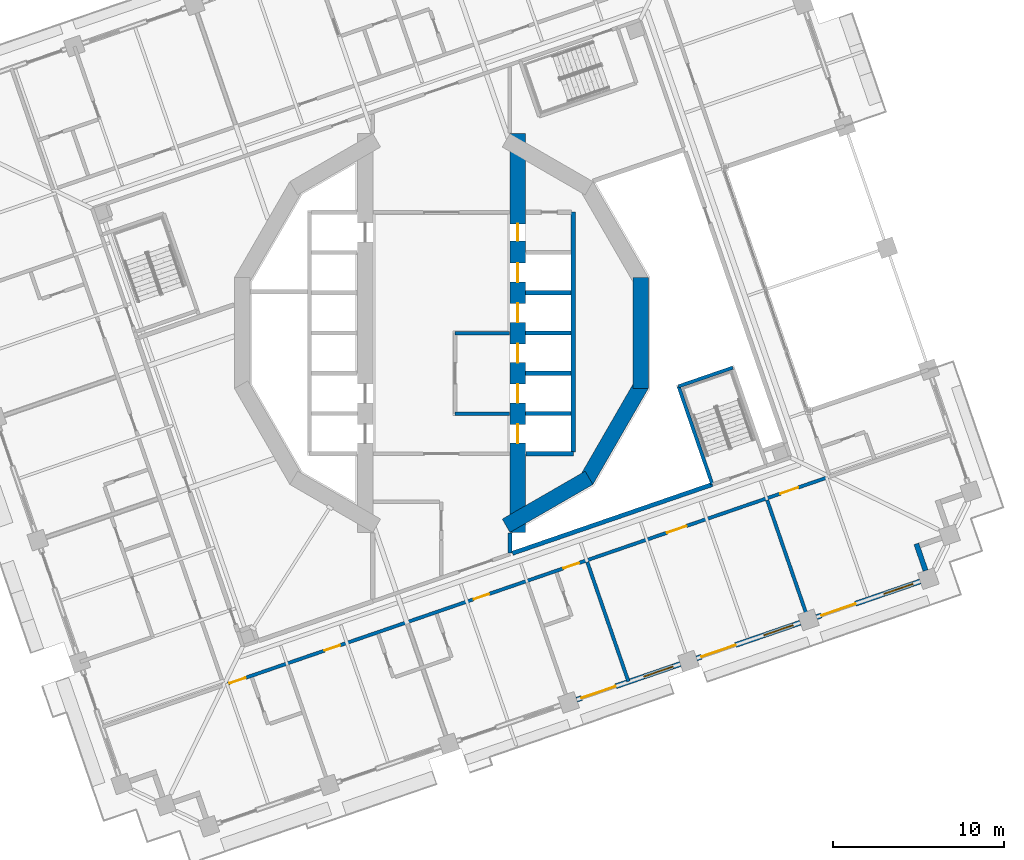
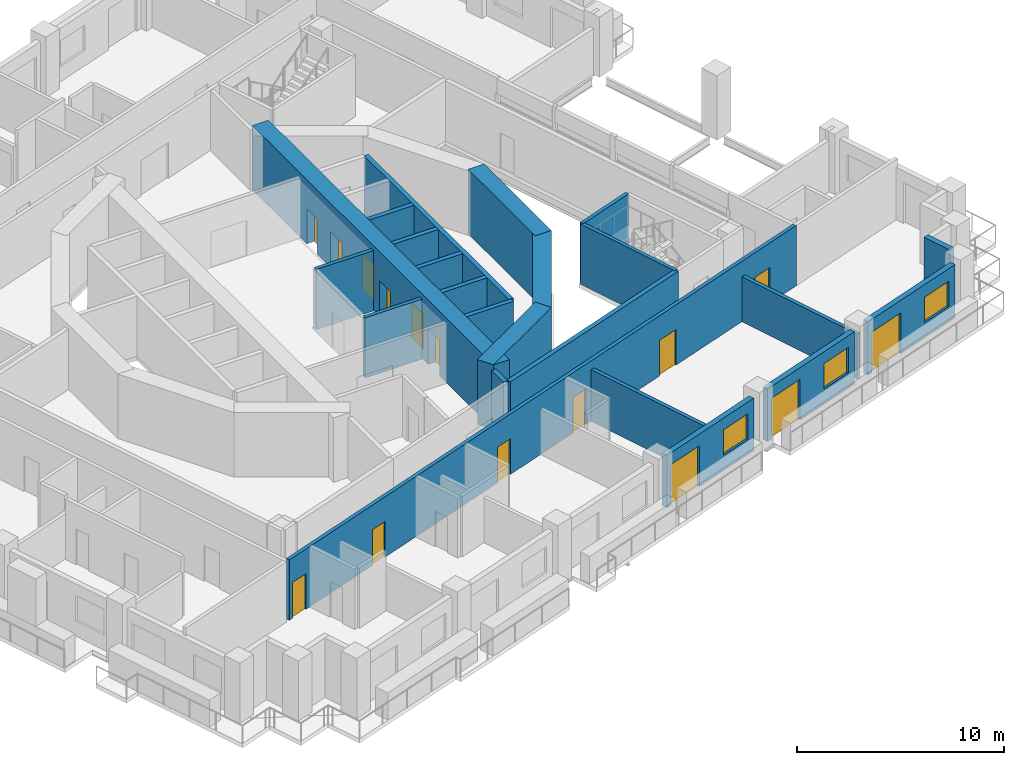
# One storey, part 10 of 21: 23 walls, 15 doors, 3 windows, 18 openings.
"""IFC4 building model written with IfcOpenShell, lengths in metres."""

from ifc_helpers import new_model, si_unit, direction, frame, frame_2d, origin, place, context, subcontext, project, spatial, rectangle, extrude, material, layer, layer_set, type_object, element, fill, save


model = new_model("IFC4")

# Units and contexts
model_context = context("Model", 3, precision=1e-05, world=origin(), true_north=direction((0.0, 1.0)))
body_context = subcontext(model_context, "Body", "Model", "MODEL_VIEW")
ifc_project = project(units=[si_unit("LENGTHUNIT", "METRE"), si_unit("AREAUNIT", "SQUARE_METRE"), si_unit("VOLUMEUNIT", "CUBIC_METRE"), si_unit("PLANEANGLEUNIT", "RADIAN"), si_unit("MASSUNIT", "GRAM", prefix="KILO")], contexts=[model_context])

# Site, building, storey
site_placement = place(None, origin())
site = spatial("IfcSite", under=ifc_project, at=site_placement, CompositionType="ELEMENT")
building_placement = place(site_placement, origin())
building = spatial("IfcBuilding", under=site, at=building_placement, Name="Cantera Rosa Tower", CompositionType="ELEMENT")
storey_placement = place(building_placement, frame((0.0, 0.0, 119.300048828125)))
storey = spatial("IfcBuildingStorey", under=building, at=storey_placement, Name="L24", CompositionType="ELEMENT", Elevation=119.300048828125)

# Wall, openings, doors
ifc_material_1 = material(Name="Gypsum board partition")
ifc_layer_1 = layer(ifc_material_1, 0.199951171875)
ifc_layer_set_1 = layer_set([ifc_layer_1], Name="CORRIDOR WALL 200 H3550")
wall_type_1 = type_object("IfcWallType", Name="CORRIDOR WALL 200 H3550", PredefinedType="PARTITIONING", material=ifc_layer_set_1)
wall_1_placement = place(storey_placement, frame((-12.58642578125, -20.515380859375, 0.0), z_axis=(0.0, 0.0, 1.0), x_axis=(0.945519939336, 0.325564193852, 0.0)))
wall_1 = element("IfcWall", 1, at=wall_1_placement, inside=storey, type_object=wall_type_1, Name="CORRIDOR WALL L24-028", PredefinedType="PARTITIONING", context=body_context, shape_type="SweptSolid", body=[
    extrude(rectangle(XDim=37.27978515625, YDim=0.199951171875, at=frame_2d((18.639892578125, 0.0))), origin(), (0.0, 0.0, 1.0), 3.550048828125),
])
opening_1_placement = place(wall_1_placement, frame((6.10498046875, 0.0, 0.0)))
opening_1 = element("IfcOpeningElement", 2, at=opening_1_placement, cuts=wall_1, Name="Opening L24-035", PredefinedType="OPENING", context=body_context, shape_type="SweptSolid", body=[
    extrude(rectangle(XDim=0.949951171875, YDim=2.10009765625, at=frame_2d((0.47509765625, 1.050048828125))), frame((0.0, 0.10986328125, 0.0), z_axis=(0.0, -1.0, 0.0), x_axis=(1.0, 0.0, 0.0)), (0.0, 0.0, 1.0), 0.219970703125),
])
opening_2_placement = place(wall_1_placement, frame((15.304931640625, 0.0, 0.0)))
opening_2 = element("IfcOpeningElement", 3, at=opening_2_placement, cuts=wall_1, Name="Opening L24-037", PredefinedType="OPENING", context=body_context, shape_type="SweptSolid", body=[
    extrude(rectangle(XDim=0.949951171875, YDim=2.10009765625, at=frame_2d((0.47509765625, 1.050048828125))), frame((0.0, 0.10986328125, 0.0), z_axis=(0.0, -1.0, 0.0), x_axis=(1.0, 0.0, 0.0)), (0.0, 0.0, 1.0), 0.219970703125),
])
opening_3_placement = place(wall_1_placement, frame((27.22998046875, 0.0, 0.0)))
opening_3 = element("IfcOpeningElement", 4, at=opening_3_placement, cuts=wall_1, Name="Opening L24-039", PredefinedType="OPENING", context=body_context, shape_type="SweptSolid", body=[
    extrude(rectangle(XDim=1.199951171875, YDim=2.10009765625, at=frame_2d((0.60009765625, 1.050048828125))), frame((0.0, 0.10986328125, 0.0), z_axis=(0.0, -1.0, 0.0), x_axis=(1.0, 0.0, 0.0)), (0.0, 0.0, 1.0), 0.219970703125),
])
opening_4_placement = place(wall_1_placement, frame((20.85498046875, 0.0, 0.0)))
opening_4 = element("IfcOpeningElement", 5, at=opening_4_placement, cuts=wall_1, Name="Opening L24-040", PredefinedType="OPENING", context=body_context, shape_type="SweptSolid", body=[
    extrude(rectangle(XDim=0.949951171875, YDim=2.10009765625, at=frame_2d((0.47509765625, 1.050048828125))), frame((0.0, 0.10986328125, 0.0), z_axis=(0.0, -1.0, 0.0), x_axis=(1.0, 0.0, 0.0)), (0.0, 0.0, 1.0), 0.219970703125),
])
opening_5_placement = place(wall_1_placement, frame((0.22998046875, 0.0, 0.0)))
opening_5 = element("IfcOpeningElement", 6, at=opening_5_placement, cuts=wall_1, Name="Opening L24-042", PredefinedType="OPENING", context=body_context, shape_type="SweptSolid", body=[
    extrude(rectangle(XDim=1.0, YDim=2.10009765625, at=frame_2d((0.5, 1.050048828125))), frame((0.0, 0.10986328125, 0.0), z_axis=(0.0, -1.0, 0.0), x_axis=(1.0, 0.0, 0.0)), (0.0, 0.0, 1.0), 0.219970703125),
])
opening_6_placement = place(wall_1_placement, frame((34.22998046875, 0.0, 0.0)))
opening_6 = element("IfcOpeningElement", 7, at=opening_6_placement, cuts=wall_1, Name="Opening L24-044", PredefinedType="OPENING", context=body_context, shape_type="SweptSolid", body=[
    extrude(rectangle(XDim=1.10009765625, YDim=2.10009765625, at=frame_2d((0.550048828125, 1.050048828125))), frame((0.0, 0.10986328125, 0.0), z_axis=(0.0, -1.0, 0.0), x_axis=(1.0, 0.0, 0.0)), (0.0, 0.0, 1.0), 0.219970703125),
])
ifc_material_2 = material(Name="Timber door leaf", Category="wood")
door_type_1 = type_object("IfcDoorType", Name="ENTRANCE DOOR 1000x2100", OperationType="NOTDEFINED", PredefinedType="DOOR", material=ifc_material_2)
door_1_placement = place(opening_5_placement, origin())
door_1 = element("IfcDoor", 8, at=door_1_placement, inside=storey, type_object=door_type_1, Name="DOOR L24-042", OperationType="NOTDEFINED", OverallHeight=2.10009765625, OverallWidth=1.0, PredefinedType="DOOR", context=body_context, shape_type="SweptSolid", body=[
    extrude(rectangle(XDim=1.0, YDim=2.10009765625, at=frame_2d((0.5, 1.050048828125))), frame((0.0, 0.02490234375, 0.0), z_axis=(0.0, -1.0, 0.0), x_axis=(1.0, 0.0, 0.0)), (0.0, 0.0, 1.0), 0.050048828125),
])
fill(opening_5, door_1)
ifc_material_3 = material(Name="Timber door leaf", Category="wood")
door_type_2 = type_object("IfcDoorType", Name="ROOM DOOR 1100x2100", OperationType="NOTDEFINED", PredefinedType="DOOR", material=ifc_material_3)
door_2_placement = place(opening_6_placement, origin())
door_2 = element("IfcDoor", 9, at=door_2_placement, inside=storey, type_object=door_type_2, Name="DOOR L24-044", OperationType="NOTDEFINED", OverallHeight=2.10009765625, OverallWidth=1.10009765625, PredefinedType="DOOR", context=body_context, shape_type="SweptSolid", body=[
    extrude(rectangle(XDim=1.10009765625, YDim=2.10009765625, at=frame_2d((0.550048828125, 1.050048828125))), frame((0.0, 0.02490234375, 0.0), z_axis=(0.0, -1.0, 0.0), x_axis=(1.0, 0.0, 0.0)), (0.0, 0.0, 1.0), 0.050048828125),
])
fill(opening_6, door_2)
ifc_material_4 = material(Name="Timber door leaf", Category="wood")
door_type_3 = type_object("IfcDoorType", Name="ROOM DOOR 1200x2100", OperationType="NOTDEFINED", PredefinedType="DOOR", material=ifc_material_4)
door_3_placement = place(opening_3_placement, origin())
door_3 = element("IfcDoor", 10, at=door_3_placement, inside=storey, type_object=door_type_3, Name="DOOR L24-039", OperationType="NOTDEFINED", OverallHeight=2.10009765625, OverallWidth=1.199951171875, PredefinedType="DOOR", context=body_context, shape_type="SweptSolid", body=[
    extrude(rectangle(XDim=1.199951171875, YDim=2.10009765625, at=frame_2d((0.60009765625, 1.050048828125))), frame((0.0, 0.02490234375, 0.0), z_axis=(0.0, -1.0, 0.0), x_axis=(1.0, 0.0, 0.0)), (0.0, 0.0, 1.0), 0.050048828125),
])
fill(opening_3, door_3)
ifc_material_5 = material(Name="Timber door leaf", Category="wood")
door_type_4 = type_object("IfcDoorType", Name="ROOM DOOR 950x2100", OperationType="NOTDEFINED", PredefinedType="DOOR", material=ifc_material_5)
door_4_placement = place(opening_1_placement, origin())
door_4 = element("IfcDoor", 11, at=door_4_placement, inside=storey, type_object=door_type_4, Name="DOOR L24-035", OperationType="NOTDEFINED", OverallHeight=2.10009765625, OverallWidth=0.949951171875, PredefinedType="DOOR", context=body_context, shape_type="SweptSolid", body=[
    extrude(rectangle(XDim=0.949951171875, YDim=2.10009765625, at=frame_2d((0.47509765625, 1.050048828125))), frame((0.0, 0.02490234375, 0.0), z_axis=(0.0, -1.0, 0.0), x_axis=(1.0, 0.0, 0.0)), (0.0, 0.0, 1.0), 0.050048828125),
])
fill(opening_1, door_4)
door_5_placement = place(opening_2_placement, origin())
door_5 = element("IfcDoor", 12, at=door_5_placement, inside=storey, type_object=door_type_4, Name="DOOR L24-037", OperationType="NOTDEFINED", OverallHeight=2.10009765625, OverallWidth=0.949951171875, PredefinedType="DOOR", context=body_context, shape_type="SweptSolid", body=[
    extrude(rectangle(XDim=0.949951171875, YDim=2.10009765625, at=frame_2d((0.47509765625, 1.050048828125))), frame((0.0, 0.02490234375, 0.0), z_axis=(0.0, -1.0, 0.0), x_axis=(1.0, 0.0, 0.0)), (0.0, 0.0, 1.0), 0.050048828125),
])
fill(opening_2, door_5)
door_6_placement = place(opening_4_placement, origin())
door_6 = element("IfcDoor", 13, at=door_6_placement, inside=storey, type_object=door_type_4, Name="DOOR L24-040", OperationType="NOTDEFINED", OverallHeight=2.10009765625, OverallWidth=0.949951171875, PredefinedType="DOOR", context=body_context, shape_type="SweptSolid", body=[
    extrude(rectangle(XDim=0.949951171875, YDim=2.10009765625, at=frame_2d((0.47509765625, 1.050048828125))), frame((0.0, 0.02490234375, 0.0), z_axis=(0.0, -1.0, 0.0), x_axis=(1.0, 0.0, 0.0)), (0.0, 0.0, 1.0), 0.050048828125),
])
fill(opening_4, door_6)

# Wall
ifc_material_6 = material(Name="Hollow clay masonry with cantera stone cladding", Category="masonry")
ifc_layer_2 = layer(ifc_material_6, 0.300048828125)
ifc_layer_set_2 = layer_set([ifc_layer_2], Name="EW-LOGGIA 300")
wall_type_2 = type_object("IfcWallType", Name="EW-LOGGIA 300", PredefinedType="SOLIDWALL", material=ifc_layer_set_2)
wall_2_placement = place(storey_placement, frame((28.250732421875, -13.857421875, 0.0), z_axis=(0.0, 0.0, 1.0), x_axis=(-0.325666906351, 0.945484566827, 0.0)))
element("IfcWall", 14, at=wall_2_placement, inside=storey, type_object=wall_type_2, Name="EN-L24-W29a", PredefinedType="SOLIDWALL", context=body_context, shape_type="SweptSolid", body=[
    extrude(rectangle(XDim=1.64990234375, YDim=0.300048828125, at=frame_2d((0.824951171875, 0.0))), origin(), (0.0, 0.0, 1.0), 3.5),
])

# Wall, openings, window, door
ifc_material_7 = material(Name="Hollow clay masonry with cantera stone cladding", Category="masonry")
ifc_layer_3 = layer(ifc_material_7, 0.300048828125)
ifc_layer_set_3 = layer_set([ifc_layer_3], Name="EW-LOGGIA 300 H3090")
wall_type_3 = type_object("IfcWallType", Name="EW-LOGGIA 300 H3090", PredefinedType="SOLIDWALL", material=ifc_layer_set_3)
wall_3_placement = place(storey_placement, frame((7.895751953125, -21.39501953125, 0.0), z_axis=(0.0, 0.0, 1.0), x_axis=(0.945524496524, 0.325550958337, 0.0)))
wall_3 = element("IfcWall", 15, at=wall_3_placement, inside=storey, type_object=wall_type_3, Name="EN-L24-W26", PredefinedType="SOLIDWALL", context=body_context, shape_type="SweptSolid", body=[
    extrude(rectangle(XDim=6.39990234375, YDim=0.300048828125, at=frame_2d((3.199951171875, 0.0))), origin(), (0.0, 0.0, 1.0), 3.08984375),
])
opening_7_placement = place(wall_3_placement, frame((0.300048828125, 0.0, 0.0)))
opening_7 = element("IfcOpeningElement", 16, at=opening_7_placement, cuts=wall_3, Name="Opening L24-TD35", PredefinedType="OPENING", context=body_context, shape_type="SweptSolid", body=[
    extrude(rectangle(XDim=2.10009765625, YDim=2.39990234375, at=frame_2d((1.050048828125, 1.199951171875))), frame((0.0, 0.159912109375, 0.0), z_axis=(0.0, -1.0, 0.0), x_axis=(1.0, 0.0, 0.0)), (0.0, 0.0, 1.0), 0.320068359375),
])
opening_8_placement = place(wall_3_placement, frame((4.14990234375, 0.0, 0.89990234375)))
opening_8 = element("IfcOpeningElement", 17, at=opening_8_placement, cuts=wall_3, Name="Opening L24-W36", PredefinedType="OPENING", context=body_context, shape_type="SweptSolid", body=[
    extrude(rectangle(XDim=1.800048828125, YDim=1.5, at=frame_2d((0.89990234375, 0.75))), frame((0.0, 0.159912109375, 0.0), z_axis=(0.0, -1.0, 0.0), x_axis=(1.0, 0.0, 0.0)), (0.0, 0.0, 1.0), 0.320068359375),
])
ifc_material_8 = material(Name="Aluminium frame with clear glass", Category="aluminium")
window_type = type_object("IfcWindowType", Name="Hotel room window 1800x1500", PartitioningType="DOUBLE_PANEL_VERTICAL", PredefinedType="WINDOW", material=ifc_material_8)
window_1_placement = place(opening_8_placement, origin())
window_1 = element("IfcWindow", 18, at=window_1_placement, inside=storey, type_object=window_type, Name="WINDOW L24-W36", OverallHeight=1.5, OverallWidth=1.800048828125, PartitioningType="SINGLE_PANEL", PredefinedType="WINDOW", context=body_context, shape_type="SweptSolid", body=[
    extrude(rectangle(XDim=1.800048828125, YDim=1.5, at=frame_2d((0.89990234375, 0.75))), frame((0.0, 0.030029296875, 0.0), z_axis=(0.0, -1.0, 0.0), x_axis=(1.0, 0.0, 0.0)), (0.0, 0.0, 1.0), 0.06005859375),
])
fill(opening_8, window_1)
ifc_material_9 = material(Name="Aluminium frame with clear glass", Category="aluminium")
door_type_5 = type_object("IfcDoorType", Name="TD-H 2100x2400", OperationType="NOTDEFINED", PredefinedType="DOOR", material=ifc_material_9)
door_7_placement = place(opening_7_placement, origin())
door_7 = element("IfcDoor", 19, at=door_7_placement, inside=storey, type_object=door_type_5, Name="LOGGIA DOOR L24-TD35", OperationType="SLIDING_TO_LEFT", OverallHeight=2.39990234375, OverallWidth=2.10009765625, PredefinedType="DOOR", context=body_context, shape_type="SweptSolid", body=[
    extrude(rectangle(XDim=2.10009765625, YDim=2.39990234375, at=frame_2d((1.050048828125, 1.199951171875))), frame((0.0, 0.02490234375, 0.0), z_axis=(0.0, -1.0, 0.0), x_axis=(1.0, 0.0, 0.0)), (0.0, 0.0, 1.0), 0.050048828125),
])
fill(opening_7, door_7)

wall_4_placement = place(storey_placement, frame((14.892578125, -18.98583984375, 0.0), z_axis=(0.0, 0.0, 1.0), x_axis=(0.945512753621, 0.325585062219, 0.0)))
wall_4 = element("IfcWall", 20, at=wall_4_placement, inside=storey, type_object=wall_type_3, Name="EN-L24-W27", PredefinedType="SOLIDWALL", context=body_context, shape_type="SweptSolid", body=[
    extrude(rectangle(XDim=6.39990234375, YDim=0.300048828125, at=frame_2d((3.199951171875, 0.0))), origin(), (0.0, 0.0, 1.0), 3.08984375),
])
opening_9_placement = place(wall_4_placement, frame((0.300048828125, 0.0, 0.0)))
opening_9 = element("IfcOpeningElement", 21, at=opening_9_placement, cuts=wall_4, Name="Opening L24-TD37", PredefinedType="OPENING", context=body_context, shape_type="SweptSolid", body=[
    extrude(rectangle(XDim=2.10009765625, YDim=2.39990234375, at=frame_2d((1.050048828125, 1.199951171875))), frame((0.0, 0.159912109375, 0.0), z_axis=(0.0, -1.0, 0.0), x_axis=(1.0, 0.0, 0.0)), (0.0, 0.0, 1.0), 0.320068359375),
])
opening_10_placement = place(wall_4_placement, frame((4.14990234375, 0.0, 0.89990234375)))
opening_10 = element("IfcOpeningElement", 22, at=opening_10_placement, cuts=wall_4, Name="Opening L24-W38", PredefinedType="OPENING", context=body_context, shape_type="SweptSolid", body=[
    extrude(rectangle(XDim=1.800048828125, YDim=1.5, at=frame_2d((0.89990234375, 0.75))), frame((0.0, 0.159912109375, 0.0), z_axis=(0.0, -1.0, 0.0), x_axis=(1.0, 0.0, 0.0)), (0.0, 0.0, 1.0), 0.320068359375),
])
window_2_placement = place(opening_10_placement, origin())
window_2 = element("IfcWindow", 23, at=window_2_placement, inside=storey, type_object=window_type, Name="WINDOW L24-W38", OverallHeight=1.5, OverallWidth=1.800048828125, PartitioningType="SINGLE_PANEL", PredefinedType="WINDOW", context=body_context, shape_type="SweptSolid", body=[
    extrude(rectangle(XDim=1.800048828125, YDim=1.5, at=frame_2d((0.89990234375, 0.75))), frame((0.0, 0.030029296875, 0.0), z_axis=(0.0, -1.0, 0.0), x_axis=(1.0, 0.0, 0.0)), (0.0, 0.0, 1.0), 0.06005859375),
])
fill(opening_10, window_2)
door_8_placement = place(opening_9_placement, origin())
door_8 = element("IfcDoor", 24, at=door_8_placement, inside=storey, type_object=door_type_5, Name="LOGGIA DOOR L24-TD37", OperationType="SLIDING_TO_LEFT", OverallHeight=2.39990234375, OverallWidth=2.10009765625, PredefinedType="DOOR", context=body_context, shape_type="SweptSolid", body=[
    extrude(rectangle(XDim=2.10009765625, YDim=2.39990234375, at=frame_2d((1.050048828125, 1.199951171875))), frame((0.0, 0.02490234375, 0.0), z_axis=(0.0, -1.0, 0.0), x_axis=(1.0, 0.0, 0.0)), (0.0, 0.0, 1.0), 0.050048828125),
])
fill(opening_9, door_8)

ifc_material_10 = material(Name="Hollow clay masonry with cantera stone cladding", Category="masonry")
ifc_layer_4 = layer(ifc_material_10, 0.300048828125)
ifc_layer_set_4 = layer_set([ifc_layer_4], Name="EW-LOGGIA 300 H3140")
wall_type_4 = type_object("IfcWallType", Name="EW-LOGGIA 300 H3140", PredefinedType="SOLIDWALL", material=ifc_layer_set_4)
wall_5_placement = place(storey_placement, frame((21.889404296875, -16.57666015625, 0.0), z_axis=(0.0, 0.0, 1.0), x_axis=(0.945512753621, 0.325585062219, 0.0)))
wall_5 = element("IfcWall", 25, at=wall_5_placement, inside=storey, type_object=wall_type_4, Name="EN-L24-W28", PredefinedType="SOLIDWALL", context=body_context, shape_type="SweptSolid", body=[
    extrude(rectangle(XDim=6.39990234375, YDim=0.300048828125, at=frame_2d((3.199951171875, 0.0))), origin(), (0.0, 0.0, 1.0), 3.139892578125),
])
opening_11_placement = place(wall_5_placement, frame((0.300048828125, 0.0, 0.0)))
opening_11 = element("IfcOpeningElement", 26, at=opening_11_placement, cuts=wall_5, Name="Opening L24-TD39", PredefinedType="OPENING", context=body_context, shape_type="SweptSolid", body=[
    extrude(rectangle(XDim=2.10009765625, YDim=2.39990234375, at=frame_2d((1.050048828125, 1.199951171875))), frame((0.0, 0.159912109375, 0.0), z_axis=(0.0, -1.0, 0.0), x_axis=(1.0, 0.0, 0.0)), (0.0, 0.0, 1.0), 0.320068359375),
])
opening_12_placement = place(wall_5_placement, frame((4.14990234375, 0.0, 0.89990234375)))
opening_12 = element("IfcOpeningElement", 27, at=opening_12_placement, cuts=wall_5, Name="Opening L24-W40", PredefinedType="OPENING", context=body_context, shape_type="SweptSolid", body=[
    extrude(rectangle(XDim=1.800048828125, YDim=1.5, at=frame_2d((0.89990234375, 0.75))), frame((0.0, 0.159912109375, 0.0), z_axis=(0.0, -1.0, 0.0), x_axis=(1.0, 0.0, 0.0)), (0.0, 0.0, 1.0), 0.320068359375),
])
window_3_placement = place(opening_12_placement, origin())
window_3 = element("IfcWindow", 28, at=window_3_placement, inside=storey, type_object=window_type, Name="WINDOW L24-W40", OverallHeight=1.5, OverallWidth=1.800048828125, PartitioningType="SINGLE_PANEL", PredefinedType="WINDOW", context=body_context, shape_type="SweptSolid", body=[
    extrude(rectangle(XDim=1.800048828125, YDim=1.5, at=frame_2d((0.89990234375, 0.75))), frame((0.0, 0.030029296875, 0.0), z_axis=(0.0, -1.0, 0.0), x_axis=(1.0, 0.0, 0.0)), (0.0, 0.0, 1.0), 0.06005859375),
])
fill(opening_12, window_3)
door_9_placement = place(opening_11_placement, origin())
door_9 = element("IfcDoor", 29, at=door_9_placement, inside=storey, type_object=door_type_5, Name="LOGGIA DOOR L24-TD39", OperationType="SLIDING_TO_LEFT", OverallHeight=2.39990234375, OverallWidth=2.10009765625, PredefinedType="DOOR", context=body_context, shape_type="SweptSolid", body=[
    extrude(rectangle(XDim=2.10009765625, YDim=2.39990234375, at=frame_2d((1.050048828125, 1.199951171875))), frame((0.0, 0.02490234375, 0.0), z_axis=(0.0, -1.0, 0.0), x_axis=(1.0, 0.0, 0.0)), (0.0, 0.0, 1.0), 0.050048828125),
])
fill(opening_11, door_9)

# Walls
ifc_material_11 = material(Name="Gypsum board partition")
ifc_layer_5 = layer(ifc_material_11, 0.199951171875)
ifc_layer_set_5 = layer_set([ifc_layer_5], Name="PARTITION 200 H2650")
wall_type_5 = type_object("IfcWallType", Name="PARTITION 200 H2650", PredefinedType="PARTITIONING", material=ifc_layer_set_5)
wall_6_placement = place(storey_placement, frame((19.00732421875, -9.74267578125, 0.0), z_axis=(0.0, 0.0, 1.0), x_axis=(0.325603730276, -0.945506325114, 0.0)))
element("IfcWall", 30, at=wall_6_placement, inside=storey, type_object=wall_type_5, Name="PARTITION L24-100", PredefinedType="PARTITIONING", context=body_context, shape_type="SweptSolid", body=[
    extrude(rectangle(XDim=7.369873046875, YDim=0.199951171875, at=frame_2d((3.68505859375, 0.0))), origin(), (0.0, 0.0, 1.0), 2.64990234375),
])
ifc_material_12 = material(Name="Gypsum board partition")
ifc_layer_6 = layer(ifc_material_12, 0.199951171875)
ifc_layer_set_6 = layer_set([ifc_layer_6], Name="PARTY WALL 200 H3050")
wall_type_6 = type_object("IfcWallType", Name="PARTY WALL 200 H3050", PredefinedType="PARTITIONING", material=ifc_layer_set_6)
wall_7_placement = place(storey_placement, frame((8.51220703125, -13.3564453125, 0.0), z_axis=(0.0, 0.0, 1.0), x_axis=(0.325563917555, -0.945520034471, 0.0)))
element("IfcWall", 31, at=wall_7_placement, inside=storey, type_object=wall_type_6, Name="PARTY WALL L24-086", PredefinedType="PARTITIONING", context=body_context, shape_type="SweptSolid", body=[
    extrude(rectangle(XDim=7.3701171875, YDim=0.199951171875, at=frame_2d((3.68505859375, 0.0))), origin(), (0.0, 0.0, 1.0), 3.050048828125),
])
ifc_material_13 = material(Name="Concrete C70/85", Category="concrete")
ifc_layer_7 = layer(ifc_material_13, 0.89990234375)
ifc_layer_set_7 = layer_set([ifc_layer_7], Name="RC CORE WALL 900 C70/85")
wall_type_7 = type_object("IfcWallType", Name="RC CORE WALL 900 C70/85", PredefinedType="SHEAR", material=ifc_layer_set_7)
wall_8_placement = place(storey_placement, frame((11.6240234375, 3.2353515625, 0.0), z_axis=(0.0, 0.0, 1.0), x_axis=(0.0, -1.0, 0.0)))
element("IfcWall", 32, at=wall_8_placement, inside=storey, type_object=wall_type_7, Name="CW-E3 L24", PredefinedType="SHEAR", context=body_context, shape_type="SweptSolid", body=[
    extrude(rectangle(XDim=6.470703125, YDim=0.89990234375, at=frame_2d((3.2353515625, 0.0))), origin(), (0.0, 0.0, 1.0), 3.800048828125),
])
wall_9_placement = place(storey_placement, frame((11.684326171875, -3.01025390625, 0.0), z_axis=(0.0, 0.0, 1.0), x_axis=(-0.499990282633, -0.866031014036, 0.0)))
element("IfcWall", 33, at=wall_9_placement, inside=storey, type_object=wall_type_7, Name="CW-E4 L24", PredefinedType="SHEAR", context=body_context, shape_type="SweptSolid", body=[
    extrude(rectangle(XDim=6.470458984375, YDim=0.89990234375, at=frame_2d((3.2353515625, 0.0))), origin(), (0.0, 0.0, 1.0), 3.800048828125),
])
wall_10_placement = place(storey_placement, frame((8.61376953125, -8.44921875, 0.0), z_axis=(0.0, 0.0, 1.0), x_axis=(-0.866026961591, -0.49999730179, 0.0)))
element("IfcWall", 34, at=wall_10_placement, inside=storey, type_object=wall_type_7, Name="CW-E5 L24", PredefinedType="SHEAR", context=body_context, shape_type="SweptSolid", body=[
    extrude(rectangle(XDim=5.58740234375, YDim=0.89990234375, at=frame_2d((2.793701171875, 0.0))), origin(), (0.0, 0.0, 1.0), 3.800048828125),
])

# Wall, openings, doors
wall_11_placement = place(storey_placement, frame((4.449951171875, -11.632568359375, 0.0), z_axis=(0.0, 0.0, 1.0), x_axis=(0.0, 1.0, 0.0)))
wall_11 = element("IfcWall", 35, at=wall_11_placement, inside=storey, type_object=wall_type_7, Name="CW-E6 L24", PredefinedType="SHEAR", context=body_context, shape_type="SweptSolid", body=[
    extrude(rectangle(XDim=23.26513671875, YDim=0.89990234375, at=frame_2d((11.632568359375, 0.0))), origin(), (0.0, 0.0, 1.0), 3.800048828125),
])
opening_13_placement = place(wall_11_placement, frame((7.5576171875, 0.0, 0.0)))
opening_13 = element("IfcOpeningElement", 36, at=opening_13_placement, cuts=wall_11, Name="Opening LD-FF1-L24", PredefinedType="OPENING", context=body_context, shape_type="SweptSolid", body=[
    extrude(rectangle(XDim=1.10009765625, YDim=2.10009765625, at=frame_2d((0.550048828125, 1.050048828125))), frame((0.0, 0.4599609375, 0.0), z_axis=(0.0, -1.0, 0.0), x_axis=(1.0, 0.0, 0.0)), (0.0, 0.0, 1.0), 0.919921875),
])
opening_14_placement = place(wall_11_placement, frame((9.907470703125, 0.0, 0.0)))
opening_14 = element("IfcOpeningElement", 37, at=opening_14_placement, cuts=wall_11, Name="Opening LD-FF2-L24", PredefinedType="OPENING", context=body_context, shape_type="SweptSolid", body=[
    extrude(rectangle(XDim=1.10009765625, YDim=2.10009765625, at=frame_2d((0.550048828125, 1.050048828125))), frame((0.0, 0.4599609375, 0.0), z_axis=(0.0, -1.0, 0.0), x_axis=(1.0, 0.0, 0.0)), (0.0, 0.0, 1.0), 0.919921875),
])
opening_15_placement = place(wall_11_placement, frame((12.257568359375, 0.0, 0.0)))
opening_15 = element("IfcOpeningElement", 38, at=opening_15_placement, cuts=wall_11, Name="Opening LD-P1-L24", PredefinedType="OPENING", context=body_context, shape_type="SweptSolid", body=[
    extrude(rectangle(XDim=1.10009765625, YDim=2.10009765625, at=frame_2d((0.550048828125, 1.050048828125))), frame((0.0, 0.4599609375, 0.0), z_axis=(0.0, -1.0, 0.0), x_axis=(1.0, 0.0, 0.0)), (0.0, 0.0, 1.0), 0.919921875),
])
opening_16_placement = place(wall_11_placement, frame((14.607421875, 0.0, 0.0)))
opening_16 = element("IfcOpeningElement", 39, at=opening_16_placement, cuts=wall_11, Name="Opening LD-P2-L24", PredefinedType="OPENING", context=body_context, shape_type="SweptSolid", body=[
    extrude(rectangle(XDim=1.10009765625, YDim=2.10009765625, at=frame_2d((0.550048828125, 1.050048828125))), frame((0.0, 0.4599609375, 0.0), z_axis=(0.0, -1.0, 0.0), x_axis=(1.0, 0.0, 0.0)), (0.0, 0.0, 1.0), 0.919921875),
])
opening_17_placement = place(wall_11_placement, frame((5.20751953125, 0.0, 0.0)))
opening_17 = element("IfcOpeningElement", 40, at=opening_17_placement, cuts=wall_11, Name="Opening LD-P6-L24", PredefinedType="OPENING", context=body_context, shape_type="SweptSolid", body=[
    extrude(rectangle(XDim=1.10009765625, YDim=2.10009765625, at=frame_2d((0.550048828125, 1.050048828125))), frame((0.0, 0.4599609375, 0.0), z_axis=(0.0, -1.0, 0.0), x_axis=(1.0, 0.0, 0.0)), (0.0, 0.0, 1.0), 0.919921875),
])
opening_18_placement = place(wall_11_placement, frame((17.007568359375, 0.0, 0.0)))
opening_18 = element("IfcOpeningElement", 41, at=opening_18_placement, cuts=wall_11, Name="Opening SD-L24-13", PredefinedType="OPENING", context=body_context, shape_type="SweptSolid", body=[
    extrude(rectangle(XDim=1.0, YDim=2.10009765625, at=frame_2d((0.5, 1.050048828125))), frame((0.0, 0.4599609375, 0.0), z_axis=(0.0, -1.0, 0.0), x_axis=(1.0, 0.0, 0.0)), (0.0, 0.0, 1.0), 0.919921875),
])
ifc_material_14 = material(Name="Steel S355J2 (EN 10025-2)", Category="steel")
door_type_6 = type_object("IfcDoorType", Name="LANDING DOOR 1100x2100", OperationType="NOTDEFINED", PredefinedType="DOOR", material=ifc_material_14)
door_10_placement = place(opening_13_placement, origin())
door_10 = element("IfcDoor", 42, at=door_10_placement, inside=storey, type_object=door_type_6, Name="LANDING DOOR FF1 L24", OperationType="SLIDING_TO_LEFT", OverallHeight=2.10009765625, OverallWidth=1.10009765625, PredefinedType="DOOR", context=body_context, shape_type="SweptSolid", body=[
    extrude(rectangle(XDim=1.10009765625, YDim=2.10009765625, at=frame_2d((0.550048828125, 1.050048828125))), frame((0.0, 0.02490234375, 0.0), z_axis=(0.0, -1.0, 0.0), x_axis=(1.0, 0.0, 0.0)), (0.0, 0.0, 1.0), 0.050048828125),
])
fill(opening_13, door_10)
door_11_placement = place(opening_14_placement, origin())
door_11 = element("IfcDoor", 43, at=door_11_placement, inside=storey, type_object=door_type_6, Name="LANDING DOOR FF2 L24", OperationType="SLIDING_TO_LEFT", OverallHeight=2.10009765625, OverallWidth=1.10009765625, PredefinedType="DOOR", context=body_context, shape_type="SweptSolid", body=[
    extrude(rectangle(XDim=1.10009765625, YDim=2.10009765625, at=frame_2d((0.550048828125, 1.050048828125))), frame((0.0, 0.02490234375, 0.0), z_axis=(0.0, -1.0, 0.0), x_axis=(1.0, 0.0, 0.0)), (0.0, 0.0, 1.0), 0.050048828125),
])
fill(opening_14, door_11)
door_12_placement = place(opening_15_placement, origin())
door_12 = element("IfcDoor", 44, at=door_12_placement, inside=storey, type_object=door_type_6, Name="LANDING DOOR P1 L24", OperationType="SLIDING_TO_LEFT", OverallHeight=2.10009765625, OverallWidth=1.10009765625, PredefinedType="DOOR", context=body_context, shape_type="SweptSolid", body=[
    extrude(rectangle(XDim=1.10009765625, YDim=2.10009765625, at=frame_2d((0.550048828125, 1.050048828125))), frame((0.0, 0.02490234375, 0.0), z_axis=(0.0, -1.0, 0.0), x_axis=(1.0, 0.0, 0.0)), (0.0, 0.0, 1.0), 0.050048828125),
])
fill(opening_15, door_12)
door_13_placement = place(opening_16_placement, origin())
door_13 = element("IfcDoor", 45, at=door_13_placement, inside=storey, type_object=door_type_6, Name="LANDING DOOR P2 L24", OperationType="SLIDING_TO_LEFT", OverallHeight=2.10009765625, OverallWidth=1.10009765625, PredefinedType="DOOR", context=body_context, shape_type="SweptSolid", body=[
    extrude(rectangle(XDim=1.10009765625, YDim=2.10009765625, at=frame_2d((0.550048828125, 1.050048828125))), frame((0.0, 0.02490234375, 0.0), z_axis=(0.0, -1.0, 0.0), x_axis=(1.0, 0.0, 0.0)), (0.0, 0.0, 1.0), 0.050048828125),
])
fill(opening_16, door_13)
door_14_placement = place(opening_17_placement, origin())
door_14 = element("IfcDoor", 46, at=door_14_placement, inside=storey, type_object=door_type_6, Name="LANDING DOOR P6 L24", OperationType="SLIDING_TO_LEFT", OverallHeight=2.10009765625, OverallWidth=1.10009765625, PredefinedType="DOOR", context=body_context, shape_type="SweptSolid", body=[
    extrude(rectangle(XDim=1.10009765625, YDim=2.10009765625, at=frame_2d((0.550048828125, 1.050048828125))), frame((0.0, 0.02490234375, 0.0), z_axis=(0.0, -1.0, 0.0), x_axis=(1.0, 0.0, 0.0)), (0.0, 0.0, 1.0), 0.050048828125),
])
fill(opening_17, door_14)
ifc_material_15 = material(Name="Timber door leaf", Category="wood")
door_type_7 = type_object("IfcDoorType", Name="SERVICE DOOR 1000x2100", OperationType="NOTDEFINED", PredefinedType="DOOR", material=ifc_material_15)
door_15_placement = place(opening_18_placement, origin())
door_15 = element("IfcDoor", 47, at=door_15_placement, inside=storey, type_object=door_type_7, Name="DOOR L24-SD13", OperationType="NOTDEFINED", OverallHeight=2.10009765625, OverallWidth=1.0, PredefinedType="DOOR", context=body_context, shape_type="SweptSolid", body=[
    extrude(rectangle(XDim=1.0, YDim=2.10009765625, at=frame_2d((0.5, 1.050048828125))), frame((0.0, 0.02490234375, 0.0), z_axis=(0.0, -1.0, 0.0), x_axis=(1.0, 0.0, 0.0)), (0.0, 0.0, 1.0), 0.050048828125),
])
fill(opening_18, door_15)

# Walls
ifc_material_16 = material(Name="Masonry blockwork", Category="masonry")
ifc_layer_8 = layer(ifc_material_16, 0.25)
ifc_layer_set_8 = layer_set([ifc_layer_8], Name="SHAFT WALL 250 H3550")
wall_type_8 = type_object("IfcWallType", Name="SHAFT WALL 250 H3550", PredefinedType="SOLIDWALL", material=ifc_layer_set_8)
wall_12_placement = place(storey_placement, frame((4.0, -12.820556640625, 0.0), z_axis=(0.0, 0.0, 1.0), x_axis=(0.0, 1.0, 0.0)))
element("IfcWall", 48, at=wall_12_placement, inside=storey, type_object=wall_type_8, Name="SHAFT WALL L24-068", PredefinedType="SOLIDWALL", context=body_context, shape_type="SweptSolid", body=[
    extrude(rectangle(XDim=1.1533203125, YDim=0.25, at=frame_2d((0.57666015625, 0.0))), origin(), (0.0, 0.0, 1.0), 3.550048828125),
])
wall_13_placement = place(storey_placement, frame((4.1513671875, -12.848388671875, 0.0), z_axis=(0.0, 0.0, 1.0), x_axis=(0.945518903658, 0.325567201704, 0.0)))
element("IfcWall", 49, at=wall_13_placement, inside=storey, type_object=wall_type_8, Name="SHAFT WALL L24-069", PredefinedType="SOLIDWALL", context=body_context, shape_type="SweptSolid", body=[
    extrude(rectangle(XDim=12.331298828125, YDim=0.25, at=frame_2d((6.16552734375, 0.0))), origin(), (0.0, 0.0, 1.0), 3.550048828125),
])
for number, where, z_axis, x_axis, name in (
    (50, (4.89990234375, -4.699951171875, 0.0), (0.0, 0.0, 1.0), (1.0, 0.0, 0.0), "SHAFT WALL L24-072"),
    (51, (4.89990234375, 0.0, 0.0), (0.0, 0.0, 1.0), (1.0, 0.0, 0.0), "SHAFT WALL L24-073"),
):
    element("IfcWall", number, at=place(storey_placement, frame(where, z_axis=z_axis, x_axis=x_axis)), inside=storey, type_object=wall_type_8, Name=name, PredefinedType="SOLIDWALL", context=body_context, shape_type="SweptSolid", body=[
        extrude(rectangle(XDim=2.675048828125, YDim=0.25, at=frame_2d((1.33740234375, 0.0))), origin(), (0.0, 0.0, 1.0), 3.550048828125),
    ])
wall_14_placement = place(storey_placement, frame((4.929931640625, -7.050048828125, 0.0), z_axis=(0.0, 0.0, 1.0), x_axis=(1.0, 0.0, 0.0)))
element("IfcWall", 52, at=wall_14_placement, inside=storey, type_object=wall_type_8, Name="SHAFT WALL L24-074", PredefinedType="SOLIDWALL", context=body_context, shape_type="SweptSolid", body=[
    extrude(rectangle(XDim=2.77001953125, YDim=0.25, at=frame_2d((1.385009765625, 0.0))), origin(), (0.0, 0.0, 1.0), 3.550048828125),
])
wall_15_placement = place(storey_placement, frame((7.699951171875, -6.929931640625, 0.0), z_axis=(0.0, 0.0, 1.0), x_axis=(0.0, 1.0, 0.0)))
element("IfcWall", 53, at=wall_15_placement, inside=storey, type_object=wall_type_8, Name="SHAFT WALL L24-080", PredefinedType="SOLIDWALL", context=body_context, shape_type="SweptSolid", body=[
    extrude(rectangle(XDim=13.97998046875, YDim=0.25, at=frame_2d((6.989990234375, 0.0))), origin(), (0.0, 0.0, 1.0), 3.550048828125),
])
for number, where, z_axis, x_axis, name in (
    (54, (7.574951171875, -2.35009765625, 0.0), (0.0, 0.0, 1.0), (-1.0, 0.0, 0.0), "SHAFT WALL L24-081"),
    (55, (7.574951171875, 2.35009765625, 0.0), (0.0, 0.0, 1.0), (-1.0, 0.0, 0.0), "SHAFT WALL L24-082"),
):
    element("IfcWall", number, at=place(storey_placement, frame(where, z_axis=z_axis, x_axis=x_axis)), inside=storey, type_object=wall_type_8, Name=name, PredefinedType="SOLIDWALL", context=body_context, shape_type="SweptSolid", body=[
        extrude(rectangle(XDim=2.675048828125, YDim=0.25, at=frame_2d((1.33740234375, 0.0))), origin(), (0.0, 0.0, 1.0), 3.550048828125),
    ])
ifc_material_17 = material(Name="Concrete C50/60", Category="concrete")
ifc_layer_9 = layer(ifc_material_17, 0.199951171875)
ifc_layer_set_9 = layer_set([ifc_layer_9], Name="STAIR WALL 200 H3550")
wall_type_9 = type_object("IfcWallType", Name="STAIR WALL 200 H3550", PredefinedType="SOLIDWALL", material=ifc_layer_set_9)
for number, where, z_axis, x_axis, name in (
    (56, (0.800048828125, 0.0, 0.0), (0.0, 0.0, 1.0), (1.0, 0.0, 0.0), "STAIR WALL L24-065"),
    (57, (3.969970703125, -4.699951171875, 0.0), (0.0, 0.0, 1.0), (-1.0, 0.0, 0.0), "STAIR WALL L24-067"),
):
    element("IfcWall", number, at=place(storey_placement, frame(where, z_axis=z_axis, x_axis=x_axis)), inside=storey, type_object=wall_type_9, Name=name, PredefinedType="SOLIDWALL", context=body_context, shape_type="SweptSolid", body=[
        extrude(rectangle(XDim=3.169921875, YDim=0.199951171875, at=frame_2d((1.5849609375, 0.0))), origin(), (0.0, 0.0, 1.0), 3.550048828125),
    ])
wall_16_placement = place(storey_placement, frame((13.839599609375, -3.10888671875, 0.0), z_axis=(0.0, 0.0, 1.0), x_axis=(0.325563172411, -0.945520291041, 0.0)))
element("IfcWall", 58, at=wall_16_placement, inside=storey, type_object=wall_type_9, Name="STAIR WALL L24-095", PredefinedType="SOLIDWALL", context=body_context, shape_type="SweptSolid", body=[
    extrude(rectangle(XDim=6.0546875, YDim=0.199951171875, at=frame_2d((3.02734375, 0.0))), origin(), (0.0, 0.0, 1.0), 3.550048828125),
])
wall_17_placement = place(storey_placement, frame((17.007080078125, -2.01806640625, 0.0), z_axis=(0.0, 0.0, 1.0), x_axis=(-0.945503015732, -0.325613340087, 0.0)))
element("IfcWall", 59, at=wall_17_placement, inside=storey, type_object=wall_type_9, Name="STAIR WALL L24-098", PredefinedType="SOLIDWALL", context=body_context, shape_type="SweptSolid", body=[
    extrude(rectangle(XDim=3.35009765625, YDim=0.199951171875, at=frame_2d((1.675048828125, 0.0))), origin(), (0.0, 0.0, 1.0), 3.550048828125),
])

save(model, "model.ifc")
